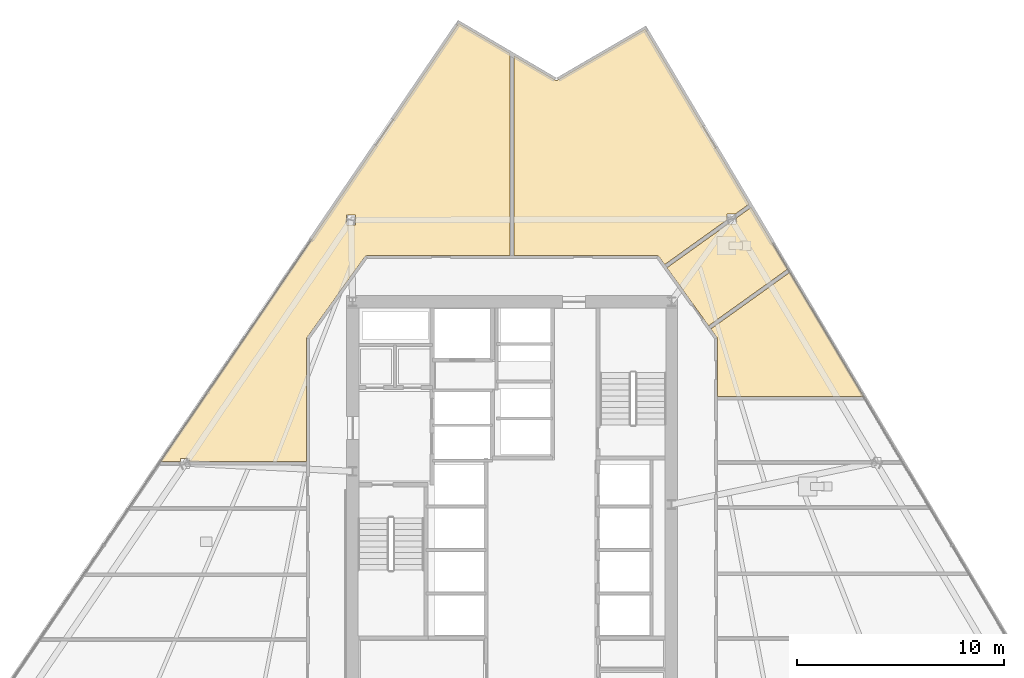
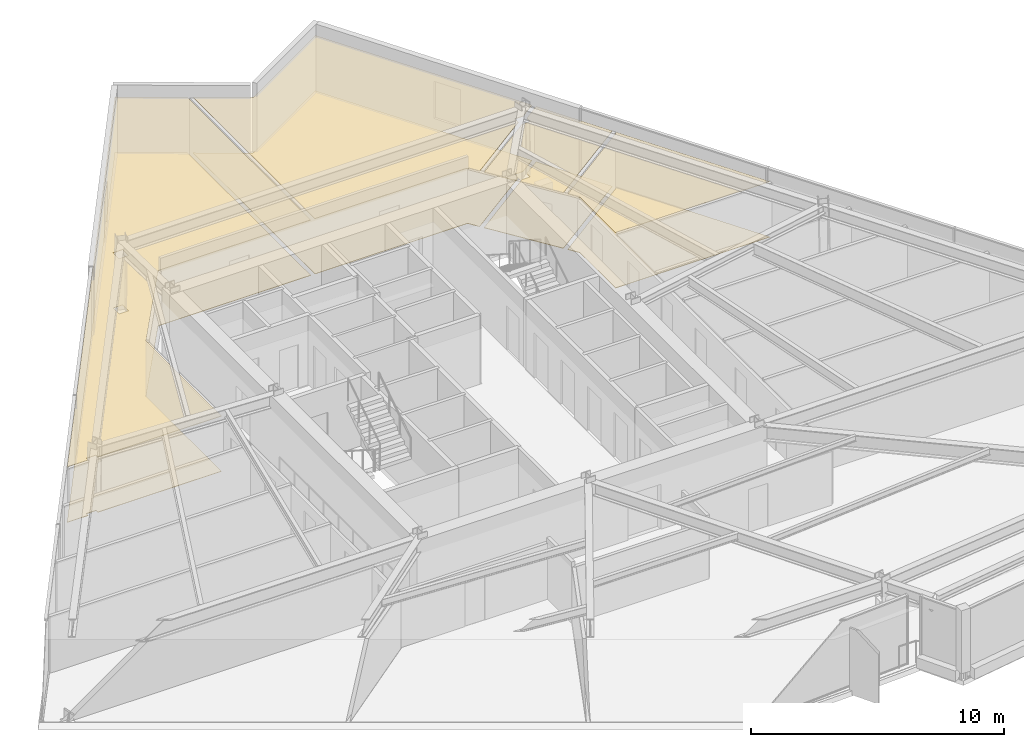
# One storey, part 17 of 18: 8 coverings.
"""IFC4 building model written with IfcOpenShell, lengths in metres."""

from ifc_helpers import new_model, si_unit, direction, frame, origin, place, context, subcontext, project, spatial, polyline, outline, extrude, material, layer, layer_set, type_object, element, save


model = new_model("IFC4")

# Units and contexts
model_context = context("Model", 3, precision=1e-05, world=origin(), true_north=direction((0.0, 1.0)))
body_context = subcontext(model_context, "Body", "Model", "MODEL_VIEW")
ifc_project = project(units=[si_unit("LENGTHUNIT", "METRE"), si_unit("AREAUNIT", "SQUARE_METRE"), si_unit("VOLUMEUNIT", "CUBIC_METRE"), si_unit("PLANEANGLEUNIT", "RADIAN"), si_unit("MASSUNIT", "GRAM", prefix="KILO")], contexts=[model_context])

# Site, building, storey
site_placement = place(None, origin())
site = spatial("IfcSite", under=ifc_project, at=site_placement, CompositionType="ELEMENT")
building_placement = place(site_placement, origin())
building = spatial("IfcBuilding", under=site, at=building_placement, Name="Savorim Split Tower", CompositionType="ELEMENT")
storey_placement = place(building_placement, frame((0.0, 0.0, 48.0)))
storey = spatial("IfcBuildingStorey", under=building, at=storey_placement, Name="L12", CompositionType="ELEMENT", Elevation=48.0)

# Coverings
ifc_material_1 = material(Name="Mineral Fibre Acoustic Ceiling")
ifc_layer_1 = layer(ifc_material_1, 0.02490234375)
ifc_layer_set_1 = layer_set([ifc_layer_1], Name="COV-CEIL-25")
covering_type_1 = type_object("IfcCoveringType", Name="COV-CEIL-25", PredefinedType="CEILING", material=ifc_layer_set_1)
covering_1_placement = place(storey_placement, frame((0.0, 0.0, 2.669921875)))
element("IfcCovering", 1, at=covering_1_placement, inside=storey, type_object=covering_type_1, Name="L12 Quiet Study Room Acoustic Ceiling", PredefinedType="CEILING", context=body_context, shape_type="SweptSolid", body=[
    extrude(outline(polyline([(9.9169921875, 8.4287109375), (9.919189453125, 8.41455078125), (9.919921875, 8.39990234375), (9.919921875, 5.62646484375), (16.97900390625, 5.62646484375), (13.42041015625, 11.611328125), (9.6083984375, 8.8798828125), (9.893798828125, 8.4814453125), (9.901611328125, 8.46923828125), (9.908203125, 8.456298828125), (9.913330078125, 8.44287109375), (9.9169921875, 8.4287109375)])), origin(), (0.0, 0.0, 1.0), 0.025146484375),
])
covering_2_placement = place(storey_placement, frame((0.0, 0.0, 2.669921875)))
element("IfcCovering", 2, at=covering_2_placement, inside=storey, type_object=covering_type_1, Name="L12 Shared Bathroom Acoustic Ceiling", PredefinedType="CEILING", context=body_context, shape_type="SweptSolid", body=[
    extrude(outline(polyline([(10.448486328125, 13.957763671875), (7.4892578125, 11.837646484375), (7.4892578125, 11.837646484375), (9.497802734375, 9.034423828125), (13.322998046875, 11.775146484375), (11.553955078125, 14.75), (10.82861328125, 14.22998046875), (10.82861328125, 13.957763671875), (10.448486328125, 13.957763671875)])), origin(), (0.0, 0.0, 1.0), 0.025146484375),
])
covering_3_placement = place(storey_placement, frame((0.0, 0.0, 2.669921875)))
element("IfcCovering", 3, at=covering_3_placement, inside=storey, type_object=covering_type_1, Name="L12 Co-Working Commons Acoustic Ceiling", PredefinedType="CEILING", context=body_context, shape_type="SweptSolid", body=[
    extrude(outline(polyline([(2.110107421875, 20.895263671875), (2.099365234375, 20.899658203125), (2.089111328125, 20.90478515625), (0.097900390625, 22.0751953125), (0.097900390625, 12.419921875), (7.0, 12.419921875), (7.01318359375, 12.41943359375), (7.0263671875, 12.41748046875), (7.039306640625, 12.414306640625), (7.052001953125, 12.409912109375), (7.06396484375, 12.404541015625), (7.075439453125, 12.39794921875), (7.086181640625, 12.39013671875), (7.096435546875, 12.381591796875), (7.105712890625, 12.3720703125), (7.11376953125, 12.361572265625), (7.378662109375, 11.991943359375), (10.392578125, 14.151611328125), (10.392578125, 14.423828125), (10.772705078125, 14.423828125), (11.4091796875, 14.8798828125), (11.45654296875, 14.913818359375), (6.431396484375, 23.36474609375), (2.21044921875, 20.90478515625), (2.2001953125, 20.8994140625), (2.189453125, 20.89501953125), (2.178466796875, 20.891845703125), (2.1669921875, 20.8896484375), (2.155517578125, 20.888427734375), (2.14404296875, 20.888427734375), (2.132568359375, 20.8896484375), (2.12109375, 20.891845703125), (2.110107421875, 20.895263671875)])), origin(), (0.0, 0.0, 1.0), 0.025146484375),
])
covering_4_placement = place(storey_placement, frame((0.0, 0.0, 2.669921875)))
element("IfcCovering", 4, at=covering_4_placement, inside=storey, type_object=covering_type_1, Name="L12 Co-Working Commons Acoustic Ceiling", PredefinedType="CEILING", context=body_context, shape_type="SweptSolid", body=[
    extrude(outline(polyline([(-7.0, 12.419921875), (-0.092041015625, 12.419921875), (-0.092041015625, 22.18701171875), (-2.572509765625, 23.644775390625), (-16.9755859375, 2.47216796875), (-16.007568359375, 2.47216796875), (-16.007568359375, 2.610107421875), (-15.571533203125, 2.610107421875), (-15.571533203125, 2.47216796875), (-9.919921875, 2.47216796875), (-9.919921875, 8.39990234375), (-9.919189453125, 8.41455078125), (-9.9169921875, 8.4287109375), (-9.913330078125, 8.44287109375), (-9.908203125, 8.456298828125), (-9.901611328125, 8.46923828125), (-9.893798828125, 8.4814453125), (-7.11376953125, 12.361572265625), (-7.105712890625, 12.3720703125), (-7.096435546875, 12.381591796875), (-7.086181640625, 12.39013671875), (-7.075439453125, 12.39794921875), (-7.06396484375, 12.404541015625), (-7.052001953125, 12.409912109375), (-7.039306640625, 12.414306640625), (-7.0263671875, 12.41748046875), (-7.01318359375, 12.41943359375), (-7.0, 12.419921875)]), holes=[polyline([(-7.568359375, 14.375), (-8.00439453125, 14.375), (-8.00439453125, 13.908935546875), (-7.568359375, 13.908935546875), (-7.568359375, 14.375)])]), origin(), (0.0, 0.0, 1.0), 0.025146484375),
])
ifc_material_2 = material(Name="Porcelain Stoneware Flooring", Category="masonry")
ifc_layer_2 = layer(ifc_material_2, 0.02001953125)
ifc_layer_set_2 = layer_set([ifc_layer_2], Name="COV-FLOR-20")
covering_type_2 = type_object("IfcCoveringType", Name="COV-FLOR-20", PredefinedType="FLOORING", material=ifc_layer_set_2)
covering_5_placement = place(storey_placement, origin())
element("IfcCovering", 5, at=covering_5_placement, inside=storey, type_object=covering_type_2, Name="L12 Quiet Study Room Porcelain Flooring", PredefinedType="FLOORING", context=body_context, shape_type="SweptSolid", body=[
    extrude(outline(polyline([(9.9169921875, 8.4287109375), (9.919189453125, 8.41455078125), (9.919921875, 8.39990234375), (9.919921875, 5.62646484375), (16.97900390625, 5.62646484375), (13.42041015625, 11.611328125), (9.6083984375, 8.8798828125), (9.893798828125, 8.4814453125), (9.901611328125, 8.46923828125), (9.908203125, 8.456298828125), (9.913330078125, 8.44287109375), (9.9169921875, 8.4287109375)])), origin(), (0.0, 0.0, 1.0), 0.02001953125),
])
covering_6_placement = place(storey_placement, origin())
element("IfcCovering", 6, at=covering_6_placement, inside=storey, type_object=covering_type_2, Name="L12 Shared Bathroom Porcelain Flooring", PredefinedType="FLOORING", context=body_context, shape_type="SweptSolid", body=[
    extrude(outline(polyline([(10.448486328125, 13.957763671875), (7.4892578125, 11.837646484375), (7.4892578125, 11.837646484375), (9.497802734375, 9.034423828125), (13.322998046875, 11.775146484375), (11.553955078125, 14.75), (10.82861328125, 14.22998046875), (10.82861328125, 13.957763671875), (10.448486328125, 13.957763671875)])), origin(), (0.0, 0.0, 1.0), 0.02001953125),
])
covering_7_placement = place(storey_placement, origin())
element("IfcCovering", 7, at=covering_7_placement, inside=storey, type_object=covering_type_2, Name="L12 Co-Working Commons Porcelain Flooring", PredefinedType="FLOORING", context=body_context, shape_type="SweptSolid", body=[
    extrude(outline(polyline([(2.110107421875, 20.895263671875), (2.099365234375, 20.899658203125), (2.089111328125, 20.90478515625), (0.097900390625, 22.0751953125), (0.097900390625, 12.419921875), (7.0, 12.419921875), (7.01318359375, 12.41943359375), (7.0263671875, 12.41748046875), (7.039306640625, 12.414306640625), (7.052001953125, 12.409912109375), (7.06396484375, 12.404541015625), (7.075439453125, 12.39794921875), (7.086181640625, 12.39013671875), (7.096435546875, 12.381591796875), (7.105712890625, 12.3720703125), (7.11376953125, 12.361572265625), (7.378662109375, 11.991943359375), (10.392578125, 14.151611328125), (10.392578125, 14.423828125), (10.772705078125, 14.423828125), (11.4091796875, 14.8798828125), (11.45654296875, 14.913818359375), (6.431396484375, 23.36474609375), (2.21044921875, 20.90478515625), (2.2001953125, 20.8994140625), (2.189453125, 20.89501953125), (2.178466796875, 20.891845703125), (2.1669921875, 20.8896484375), (2.155517578125, 20.888427734375), (2.14404296875, 20.888427734375), (2.132568359375, 20.8896484375), (2.12109375, 20.891845703125), (2.110107421875, 20.895263671875)])), origin(), (0.0, 0.0, 1.0), 0.02001953125),
])
covering_8_placement = place(storey_placement, origin())
element("IfcCovering", 8, at=covering_8_placement, inside=storey, type_object=covering_type_2, Name="L12 Co-Working Commons Porcelain Flooring", PredefinedType="FLOORING", context=body_context, shape_type="SweptSolid", body=[
    extrude(outline(polyline([(-7.0, 12.419921875), (-0.092041015625, 12.419921875), (-0.092041015625, 22.18701171875), (-2.572509765625, 23.644775390625), (-16.9755859375, 2.47216796875), (-16.007568359375, 2.47216796875), (-16.007568359375, 2.610107421875), (-15.571533203125, 2.610107421875), (-15.571533203125, 2.47216796875), (-9.919921875, 2.47216796875), (-9.919921875, 8.39990234375), (-9.919189453125, 8.41455078125), (-9.9169921875, 8.4287109375), (-9.913330078125, 8.44287109375), (-9.908203125, 8.456298828125), (-9.901611328125, 8.46923828125), (-9.893798828125, 8.4814453125), (-7.11376953125, 12.361572265625), (-7.105712890625, 12.3720703125), (-7.096435546875, 12.381591796875), (-7.086181640625, 12.39013671875), (-7.075439453125, 12.39794921875), (-7.06396484375, 12.404541015625), (-7.052001953125, 12.409912109375), (-7.039306640625, 12.414306640625), (-7.0263671875, 12.41748046875), (-7.01318359375, 12.41943359375), (-7.0, 12.419921875)]), holes=[polyline([(-7.568359375, 14.375), (-8.00439453125, 14.375), (-8.00439453125, 13.908935546875), (-7.568359375, 13.908935546875), (-7.568359375, 14.375)])]), origin(), (0.0, 0.0, 1.0), 0.02001953125),
])

save(model, "model.ifc")
